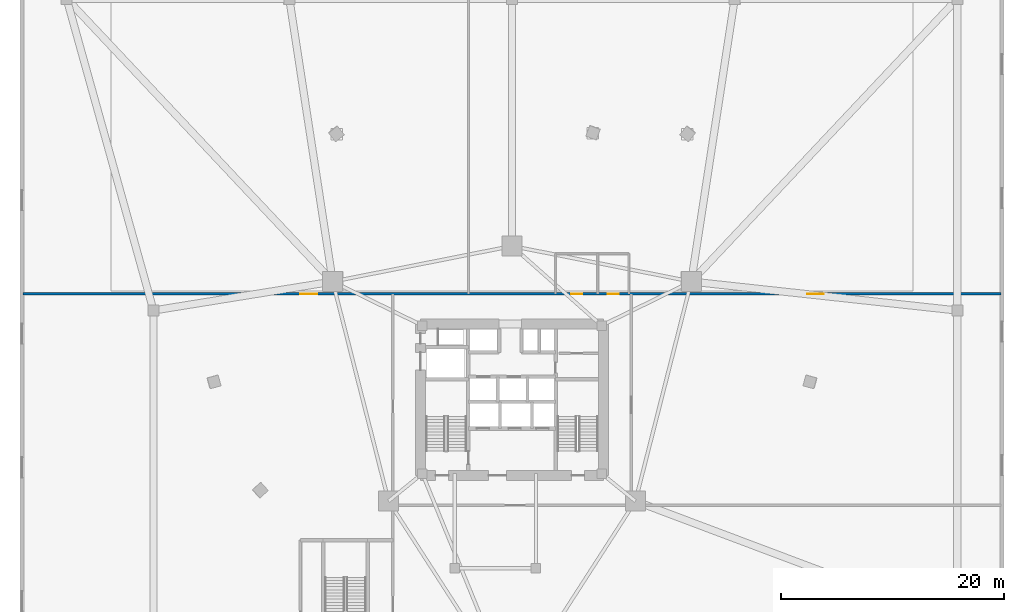
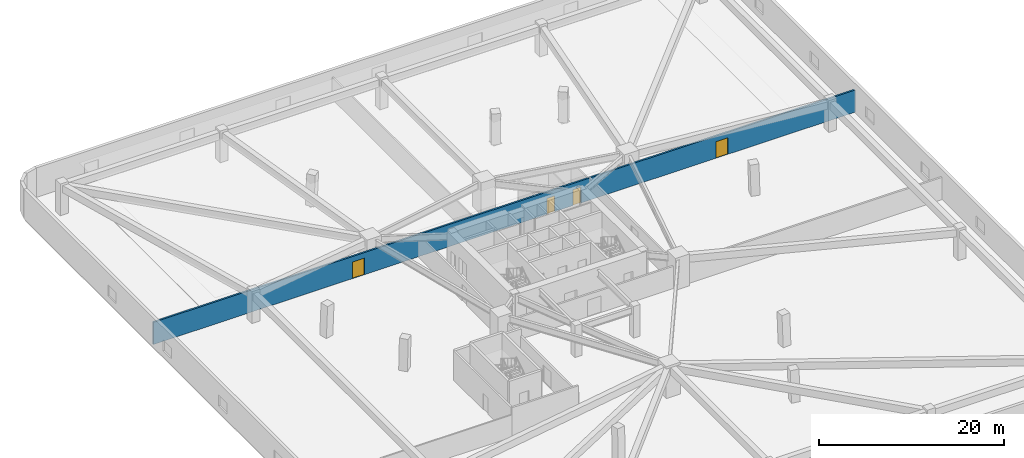
# One storey, part 6 of 10: 4 doors, 1 wall, 4 openings.
"""IFC4 building model written with IfcOpenShell, lengths in metres."""

from ifc_helpers import new_model, si_unit, direction, frame, frame_2d, origin, place, context, subcontext, project, spatial, rectangle, extrude, material, layer, layer_set, type_object, element, fill, save


model = new_model("IFC4")

# Units and contexts
model_context = context("Model", 3, precision=1e-05, world=origin(), true_north=direction((0.0, 1.0)))
body_context = subcontext(model_context, "Body", "Model", "MODEL_VIEW")
ifc_project = project(units=[si_unit("LENGTHUNIT", "METRE"), si_unit("AREAUNIT", "SQUARE_METRE"), si_unit("VOLUMEUNIT", "CUBIC_METRE"), si_unit("PLANEANGLEUNIT", "RADIAN"), si_unit("MASSUNIT", "GRAM", prefix="KILO")], contexts=[model_context])

# Site, building, storey
site_placement = place(None, origin())
site = spatial("IfcSite", under=ifc_project, at=site_placement, CompositionType="ELEMENT")
building_placement = place(site_placement, origin())
building = spatial("IfcBuilding", under=site, at=building_placement, Name="Talyreon Biosciences Tower", CompositionType="ELEMENT")
storey_placement = place(building_placement, frame((0.0, 0.0, 10.199951171875)))
storey = spatial("IfcBuildingStorey", under=building, at=storey_placement, Name="L02", CompositionType="ELEMENT", Elevation=10.199951171875)

# Wall, openings, doors
ifc_material_1 = material(Name="Gypsum fireboard acoustic stud", Category="gypsum")
ifc_layer = layer(ifc_material_1, 0.219970703125)
ifc_layer_set = layer_set([ifc_layer], Name="Gypsum fireboard acoustic stud")
wall_type = type_object("IfcWallType", Name="CorridorRatedPartition_220", PredefinedType="PARTITIONING", material=ifc_layer_set)
wall_placement = place(storey_placement, frame((22.0849609375, 77.5, 0.0), z_axis=(0.0, 0.0, 1.0), x_axis=(1.0, 0.0, 0.0)))
wall = element("IfcWall", 1, at=wall_placement, inside=storey, type_object=wall_type, Name="L02 Interior Wall IW-L02-N", PredefinedType="PARTITIONING", context=body_context, shape_type="SweptSolid", body=[
    extrude(rectangle(XDim=87.830078125, YDim=0.219970703125, at=frame_2d((43.9150390625, 0.0))), origin(), (0.0, 0.0, 1.0), 2.929931640625),
])
opening_1_placement = place(wall_placement, frame((24.9150390625, 0.0, 0.0)))
opening_1 = element("IfcOpeningElement", 2, at=opening_1_placement, cuts=wall, Name="Opening DR-L02-NW1", PredefinedType="OPENING", context=body_context, shape_type="SweptSolid", body=[
    extrude(rectangle(XDim=1.5, YDim=2.199951171875, at=frame_2d((0.75, 1.10009765625))), frame((0.0, 0.119873046875, 0.0), z_axis=(0.0, -1.0, 0.0), x_axis=(1.0, 0.0, 0.0)), (0.0, 0.0, 1.0), 0.239990234375),
])
opening_2_placement = place(wall_placement, frame((49.22509765625, 0.0, 0.0)))
opening_2 = element("IfcOpeningElement", 3, at=opening_2_placement, cuts=wall, Name="Opening DR-L02-WC", PredefinedType="OPENING", context=body_context, shape_type="SweptSolid", body=[
    extrude(rectangle(XDim=0.97998046875, YDim=2.10009765625, at=frame_2d((0.489990234375, 1.050048828125))), frame((0.0, 0.119873046875, 0.0), z_axis=(0.0, -1.0, 0.0), x_axis=(1.0, 0.0, 0.0)), (0.0, 0.0, 1.0), 0.239990234375),
])
opening_3_placement = place(wall_placement, frame((52.52490234375, 0.0, 0.0)))
opening_3 = element("IfcOpeningElement", 4, at=opening_3_placement, cuts=wall, Name="Opening DR-L02-AWC", PredefinedType="OPENING", context=body_context, shape_type="SweptSolid", body=[
    extrude(rectangle(XDim=0.97998046875, YDim=2.10009765625, at=frame_2d((0.489990234375, 1.050048828125))), frame((0.0, 0.119873046875, 0.0), z_axis=(0.0, -1.0, 0.0), x_axis=(1.0, 0.0, 0.0)), (0.0, 0.0, 1.0), 0.239990234375),
])
opening_4_placement = place(wall_placement, frame((70.4150390625, 0.0, 0.0)))
opening_4 = element("IfcOpeningElement", 5, at=opening_4_placement, cuts=wall, Name="Opening DR-L02-NW2", PredefinedType="OPENING", context=body_context, shape_type="SweptSolid", body=[
    extrude(rectangle(XDim=1.5, YDim=2.199951171875, at=frame_2d((0.75, 1.10009765625))), frame((0.0, 0.119873046875, 0.0), z_axis=(0.0, -1.0, 0.0), x_axis=(1.0, 0.0, 0.0)), (0.0, 0.0, 1.0), 0.239990234375),
])
ifc_material_2 = material(Name="Laminate moisture-resistant door", Category="wood")
door_type_1 = type_object("IfcDoorType", Name="AccessibleToiletDoor_980x2100", OperationType="NOTDEFINED", PredefinedType="DOOR", material=ifc_material_2)
door_1_placement = place(opening_2_placement, origin())
door_1 = element("IfcDoor", 6, at=door_1_placement, inside=storey, type_object=door_type_1, Name="L02 Interior Door DR-L02-WC", OperationType="SINGLE_SWING_LEFT", OverallHeight=2.10009765625, OverallWidth=0.97998046875, PredefinedType="DOOR", context=body_context, shape_type="SweptSolid", body=[
    extrude(rectangle(XDim=0.97998046875, YDim=2.10009765625, at=frame_2d((0.489990234375, 1.050048828125))), frame((0.0, 0.02490234375, 0.0), z_axis=(0.0, -1.0, 0.0), x_axis=(1.0, 0.0, 0.0)), (0.0, 0.0, 1.0), 0.050048828125),
])
fill(opening_2, door_1)
door_2_placement = place(opening_3_placement, origin())
door_2 = element("IfcDoor", 7, at=door_2_placement, inside=storey, type_object=door_type_1, Name="L02 Interior Door DR-L02-AWC", OperationType="SINGLE_SWING_RIGHT", OverallHeight=2.10009765625, OverallWidth=0.97998046875, PredefinedType="DOOR", context=body_context, shape_type="SweptSolid", body=[
    extrude(rectangle(XDim=0.97998046875, YDim=2.10009765625, at=frame_2d((0.489990234375, 1.050048828125))), frame((0.0, 0.02490234375, 0.0), z_axis=(0.0, -1.0, 0.0), x_axis=(1.0, 0.0, 0.0)), (0.0, 0.0, 1.0), 0.050048828125),
])
fill(opening_3, door_2)
ifc_material_3 = material(Name="Vision-panel steel laboratory fire door", Category="steel")
door_type_2 = type_object("IfcDoorType", Name="WetLabDoubleLeafDoor_1500x2200", OperationType="DOUBLE_DOOR_SINGLE_SWING", PredefinedType="DOOR", material=ifc_material_3)
door_3_placement = place(opening_1_placement, origin())
door_3 = element("IfcDoor", 8, at=door_3_placement, inside=storey, type_object=door_type_2, Name="L02 Interior Door DR-L02-NW1", OperationType="DOUBLE_DOOR_SINGLE_SWING", OverallHeight=2.199951171875, OverallWidth=1.5, PredefinedType="DOOR", context=body_context, shape_type="SweptSolid", body=[
    extrude(rectangle(XDim=1.5, YDim=2.199951171875, at=frame_2d((0.75, 1.10009765625))), frame((0.0, 0.02490234375, 0.0), z_axis=(0.0, -1.0, 0.0), x_axis=(1.0, 0.0, 0.0)), (0.0, 0.0, 1.0), 0.050048828125),
])
fill(opening_1, door_3)
door_4_placement = place(opening_4_placement, origin())
door_4 = element("IfcDoor", 9, at=door_4_placement, inside=storey, type_object=door_type_2, Name="L02 Interior Door DR-L02-NW2", OperationType="DOUBLE_DOOR_SINGLE_SWING", OverallHeight=2.199951171875, OverallWidth=1.5, PredefinedType="DOOR", context=body_context, shape_type="SweptSolid", body=[
    extrude(rectangle(XDim=1.5, YDim=2.199951171875, at=frame_2d((0.75, 1.10009765625))), frame((0.0, 0.02490234375, 0.0), z_axis=(0.0, -1.0, 0.0), x_axis=(1.0, 0.0, 0.0)), (0.0, 0.0, 1.0), 0.050048828125),
])
fill(opening_4, door_4)

save(model, "model.ifc")
